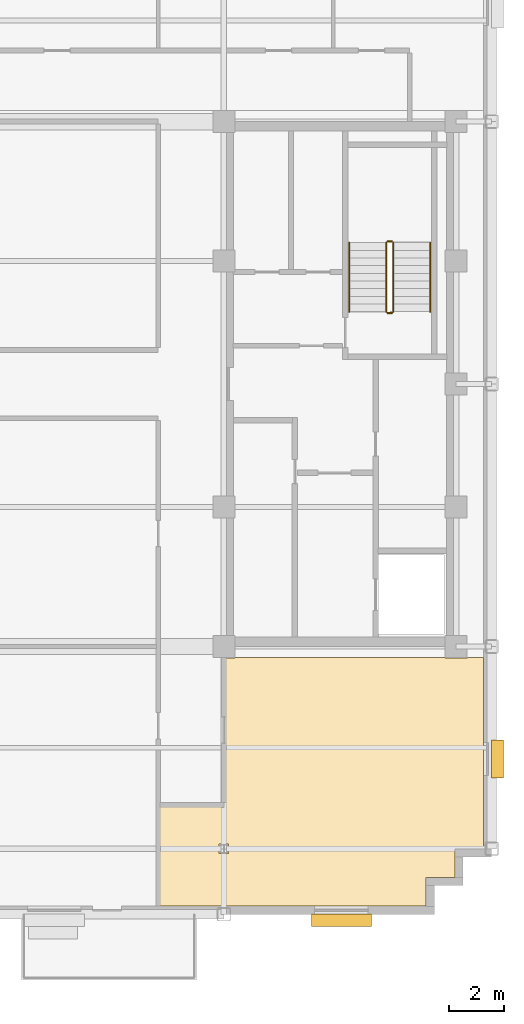
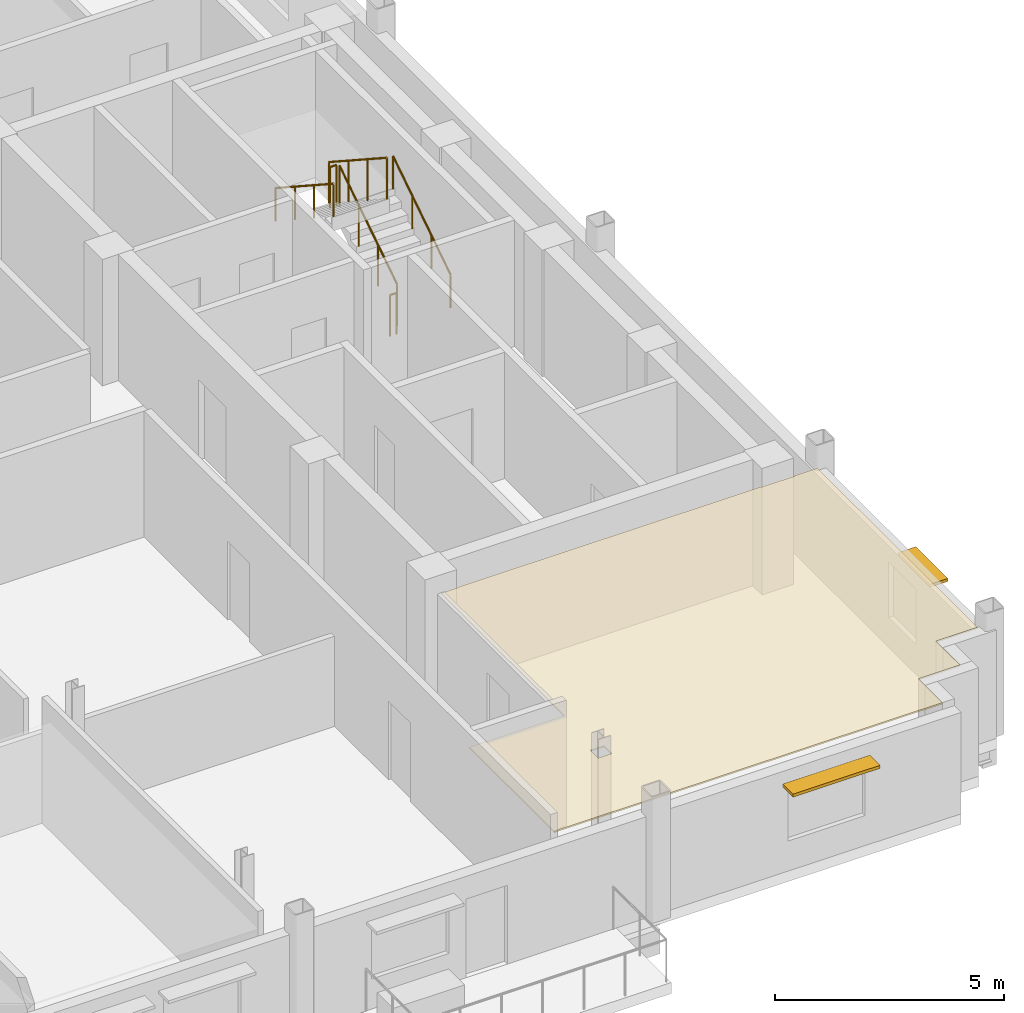
# One storey, part 12 of 13: 6 railings, 2 shading devices, 1 covering.
"""IFC4 building model written with IfcOpenShell, lengths in metres."""

from ifc_helpers import new_model, si_unit, direction, frame, origin, origin_2d, place, context, subcontext, project, spatial, polyline, rectangle, circle, outline, extrude, source, transform, mapped, material, layer, layer_set, type_object, type_shapes, element, save


model = new_model("IFC4")

# Units and contexts
model_context = context("Model", 3, precision=1e-05, world=origin(), true_north=direction((0.0, 1.0)))
body_context = subcontext(model_context, "Body", "Model", "MODEL_VIEW")
ifc_project = project(units=[si_unit("LENGTHUNIT", "METRE"), si_unit("AREAUNIT", "SQUARE_METRE"), si_unit("VOLUMEUNIT", "CUBIC_METRE"), si_unit("PLANEANGLEUNIT", "RADIAN"), si_unit("MASSUNIT", "GRAM", prefix="KILO")], contexts=[model_context])

# Site, building, storey
site_placement = place(None, origin())
site = spatial("IfcSite", under=ifc_project, at=site_placement, CompositionType="ELEMENT")
building_placement = place(site_placement, origin())
building = spatial("IfcBuilding", under=site, at=building_placement, Name="Nuvemarco Arch Tower", CompositionType="ELEMENT")
storey_placement = place(building_placement, frame((0.0, 0.0, 257.949951171875)))
storey = spatial("IfcBuildingStorey", under=building, at=storey_placement, Name="L68", CompositionType="ELEMENT", Elevation=257.949951171875)

# Covering
ifc_material_1 = material(Name="Mineral acoustic ceiling tile")
ifc_layer = layer(ifc_material_1, 0.0400390625, Name="COV-ACOUSTIC-CLG")
ifc_layer_set = layer_set([ifc_layer], Name="Mineral acoustic ceiling tile")
covering_type = type_object("IfcCoveringType", Name="COV-ACOUSTIC-CLG", PredefinedType="CEILING", material=ifc_layer_set)
covering_placement = place(storey_placement, frame((0.0, 0.0, 2.85009765625)))
element("IfcCovering", 1, at=covering_placement, inside=storey, type_object=covering_type, Name="L68 suspended acoustic ceiling 1", PredefinedType="CEILING", context=body_context, shape_type="SweptSolid", body=[
    extrude(outline(polyline([(16.39990234375, -19.10009765625), (6.60009765625, -19.10009765625), (6.60009765625, -15.39990234375), (9.0, -15.39990234375), (9.0, -10.014892578125), (9.4150390625, -10.014892578125), (9.4150390625, -10.0), (17.0849609375, -10.0), (17.0849609375, -10.014892578125), (17.9150390625, -10.014892578125), (17.9150390625, -10.0), (18.5, -10.0), (18.5, -17.0), (17.449951171875, -17.0), (17.449951171875, -18.050048828125), (16.39990234375, -18.050048828125), (16.39990234375, -19.10009765625)]), holes=[polyline([(9.169921875, -17.169921875), (9.169921875, -16.830078125), (8.830078125, -16.830078125), (8.830078125, -17.169921875), (9.169921875, -17.169921875)])]), origin(), (0.0, 0.0, 1.0), 0.0400390625),
])

# Railings
ifc_material_2 = material(Name="Brushed stainless steel handrail", Category="steel")
railing_type_1 = type_object("IfcRailingType", Name="RL-HANDRAIL-900", PredefinedType="HANDRAIL", material=ifc_material_2)
railing_1_placement = place(storey_placement, frame((16.550048828125, 2.64990234375, 0.1826171875)))
element("IfcRailing", 2, at=railing_1_placement, inside=storey, type_object=railing_type_1, Name="L68 ST-2 stair handrail 1", PredefinedType="HANDRAIL", context=body_context, shape_type="SweptSolid", body=[
    extrude(circle(Radius=0.02392578125, at=origin_2d()), frame((0.0, 0.0, 0.8759765625), z_axis=(0.0, 0.837786554691, 0.545997883492), x_axis=(-1.0, 0.0, 0.0)), (0.0, 0.0, 1.0), 3.008056640625),
    extrude(circle(Radius=0.02099609375, at=origin_2d()), origin(), (0.0, 0.0, 1.0), 0.851806640625),
    extrude(circle(Radius=0.02099609375, at=origin_2d()), frame((0.0, 0.840087890625, 0.54736328125)), (0.0, 0.0, 1.0), 0.851806640625),
    extrude(circle(Radius=0.02099609375, at=origin_2d()), frame((0.0, 1.679931640625, 1.094970703125)), (0.0, 0.0, 1.0), 0.851806640625),
    extrude(circle(Radius=0.02099609375, at=origin_2d()), frame((0.0, 2.52001953125, 1.642333984375)), (0.0, 0.0, 1.0), 0.851806640625),
])
railing_2_placement = place(storey_placement, frame((13.590087890625, 5.169921875, 2.007568359375)))
element("IfcRailing", 3, at=railing_2_placement, inside=storey, type_object=railing_type_1, Name="L68 ST-2 stair handrail 2", PredefinedType="HANDRAIL", context=body_context, shape_type="SweptSolid", body=[
    extrude(circle(Radius=0.02392578125, at=origin_2d()), frame((0.0, 0.0, 0.8759765625), z_axis=(0.0, -0.837749427056, 0.546054848405), x_axis=(1.0, 0.0, 0.0)), (0.0, 0.0, 1.0), 3.008056640625),
    extrude(circle(Radius=0.02099609375, at=origin_2d()), origin(), (0.0, 0.0, 1.0), 0.851806640625),
    extrude(circle(Radius=0.02099609375, at=origin_2d()), frame((0.0, -0.840087890625, 0.547607421875)), (0.0, 0.0, 1.0), 0.851806640625),
    extrude(circle(Radius=0.02099609375, at=origin_2d()), frame((0.0, -1.679931640625, 1.094970703125)), (0.0, 0.0, 1.0), 0.851806640625),
    extrude(circle(Radius=0.02099609375, at=origin_2d()), frame((0.0, -2.52001953125, 1.642578125)), (0.0, 0.0, 1.0), 0.851806640625),
])
ifc_material_3 = material(Name="Painted balustrade steel S355", Category="steel")
railing_type_2 = type_object("IfcRailingType", Name="RL-STAIR-GUARD", PredefinedType="GUARDRAIL", material=ifc_material_3)
railing_3_placement = place(storey_placement, frame((15.199951171875, 2.64990234375, 0.1826171875)))
element("IfcRailing", 4, at=railing_3_placement, inside=storey, type_object=railing_type_2, Name="L68 ST-2 stair guard 1", PredefinedType="GUARDRAIL", context=body_context, shape_type="SweptSolid", body=[
    extrude(circle(Radius=0.02392578125, at=origin_2d()), frame((0.0, 0.0, 1.09619140625), z_axis=(0.0, 0.837786554691, 0.545997883492), x_axis=(-1.0, 0.0, 0.0)), (0.0, 0.0, 1.0), 3.008056640625),
    extrude(circle(Radius=0.02099609375, at=origin_2d()), origin(), (0.0, 0.0, 1.0), 1.072021484375),
    extrude(circle(Radius=0.02099609375, at=origin_2d()), frame((0.0, 0.840087890625, 0.54736328125)), (0.0, 0.0, 1.0), 1.072021484375),
    extrude(circle(Radius=0.02099609375, at=origin_2d()), frame((0.0, 1.679931640625, 1.094970703125)), (0.0, 0.0, 1.0), 1.072021484375),
    extrude(circle(Radius=0.02099609375, at=origin_2d()), frame((0.0, 2.52001953125, 1.642333984375)), (0.0, 0.0, 1.0), 1.072021484375),
])
railing_4_placement = place(storey_placement, frame((15.14990234375, 5.219970703125, 1.824951171875)))
element("IfcRailing", 5, at=railing_4_placement, inside=storey, type_object=railing_type_2, Name="L68 ST-2 stair guard 2", PredefinedType="GUARDRAIL", context=body_context, shape_type="SweptSolid", body=[
    extrude(circle(Radius=0.02392578125, at=origin_2d()), frame((0.0, 0.0, 1.09619140625), z_axis=(-1.0, 0.0, 0.0), x_axis=(0.0, -1.0, 0.0)), (0.0, 0.0, 1.0), 0.159912109375),
    extrude(circle(Radius=0.02099609375, at=origin_2d()), origin(), (0.0, 0.0, 1.0), 1.072021484375),
    extrude(circle(Radius=0.02099609375, at=origin_2d()), frame((-0.159912109375, 0.0, 0.0)), (0.0, 0.0, 1.0), 1.072021484375),
])
railing_5_placement = place(storey_placement, frame((14.93994140625, 5.169921875, 2.007568359375)))
element("IfcRailing", 6, at=railing_5_placement, inside=storey, type_object=railing_type_2, Name="L68 ST-2 stair guard 3", PredefinedType="GUARDRAIL", context=body_context, shape_type="SweptSolid", body=[
    extrude(circle(Radius=0.02392578125, at=origin_2d()), frame((0.0, 0.0, 1.09619140625), z_axis=(0.0, -0.837749427056, 0.546054848405), x_axis=(1.0, 0.0, 0.0)), (0.0, 0.0, 1.0), 3.008056640625),
    extrude(circle(Radius=0.02099609375, at=origin_2d()), origin(), (0.0, 0.0, 1.0), 1.072021484375),
    extrude(circle(Radius=0.02099609375, at=origin_2d()), frame((0.0, -0.840087890625, 0.547607421875)), (0.0, 0.0, 1.0), 1.072021484375),
    extrude(circle(Radius=0.02099609375, at=origin_2d()), frame((0.0, -1.679931640625, 1.094970703125)), (0.0, 0.0, 1.0), 1.072021484375),
    extrude(circle(Radius=0.02099609375, at=origin_2d()), frame((0.0, -2.52001953125, 1.642578125)), (0.0, 0.0, 1.0), 1.072021484375),
])
railing_6_placement = place(storey_placement, frame((15.14990234375, 2.60009765625, 0.0)))
element("IfcRailing", 7, at=railing_6_placement, inside=storey, type_object=railing_type_2, Name="L68 ST-2 stair guard 4", PredefinedType="GUARDRAIL", context=body_context, shape_type="SweptSolid", body=[
    extrude(circle(Radius=0.02392578125, at=origin_2d()), frame((0.0, 0.0, 1.09619140625), z_axis=(-1.0, 0.0, 0.0), x_axis=(0.0, -1.0, 0.0)), (0.0, 0.0, 1.0), 0.159912109375),
    extrude(circle(Radius=0.02099609375, at=origin_2d()), origin(), (0.0, 0.0, 1.0), 1.072021484375),
    extrude(circle(Radius=0.02099609375, at=origin_2d()), frame((-0.159912109375, 0.0, 0.0)), (0.0, 0.0, 1.0), 1.072021484375),
])

# Shading devices
ifc_material_4 = material(Name="Anodised aluminium 6063-T6", Category="aluminium")
shading_device_type_1 = type_object("IfcShadingDeviceType", Name="SHD-BRISE-SOLEIL", PredefinedType="USERDEFINED", material=ifc_material_4)
shared_shape_1 = source(origin(), body_context, "Body", "SweptSolid", [
    extrude(rectangle(XDim=2.199951171875, YDim=0.449951171875, at=origin_2d()), origin(), (0.0, 0.0, 1.0), 0.080078125),
])
type_shapes(shading_device_type_1, [shared_shape_1])
shading_device_1_placement = place(storey_placement, frame((13.300048828125, -19.614990234375, 2.284912109375), z_axis=(0.0, 0.0, 1.0), x_axis=(1.0, 0.0, 0.0)))
element("IfcShadingDevice", 8, at=shading_device_1_placement, inside=storey, type_object=shading_device_type_1, Name="L68 horizontal brise-soleil sunshade", ObjectType="SUNSHADE", PredefinedType="USERDEFINED", context=body_context, shape_type="MappedRepresentation", body=[
    mapped(shared_shape_1, transform((0.0, 0.0, 0.0), scale=1.0)),
])
shading_device_type_2 = type_object("IfcShadingDeviceType", Name="SHD-BRISE-NARROW", PredefinedType="USERDEFINED", material=ifc_material_4)
shared_shape_2 = source(origin(), body_context, "Body", "SweptSolid", [
    extrude(rectangle(XDim=1.39990234375, YDim=0.449951171875, at=origin_2d()), origin(), (0.0, 0.0, 1.0), 0.080078125),
])
type_shapes(shading_device_type_2, [shared_shape_2])
shading_device_2_placement = place(storey_placement, frame((19.014892578125, -13.7177734375, 2.284912109375), z_axis=(0.0, 0.0, 1.0), x_axis=(0.0, 1.0, 0.0)))
element("IfcShadingDevice", 9, at=shading_device_2_placement, inside=storey, type_object=shading_device_type_2, Name="L68 horizontal brise-soleil sunshade", ObjectType="SUNSHADE", PredefinedType="USERDEFINED", context=body_context, shape_type="MappedRepresentation", body=[
    mapped(shared_shape_2, transform((0.0, 0.0, 0.0), scale=1.0)),
])

save(model, "model.ifc")
